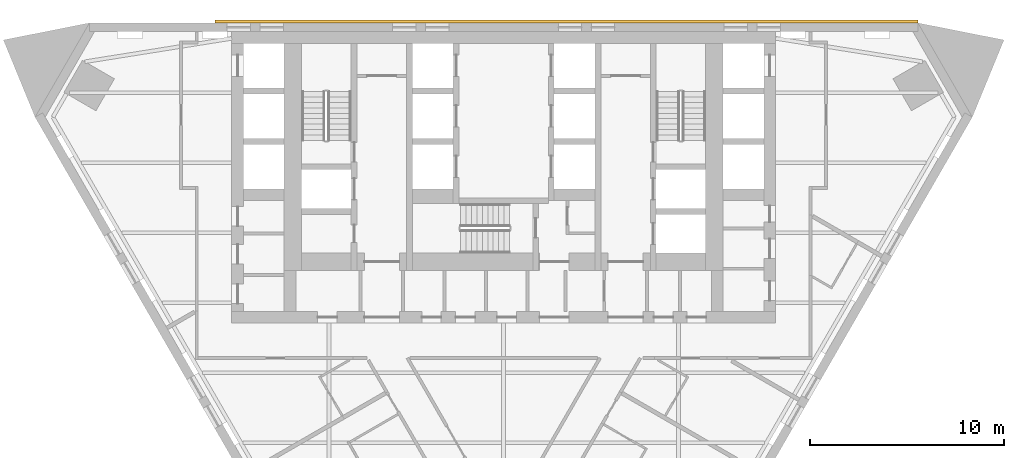
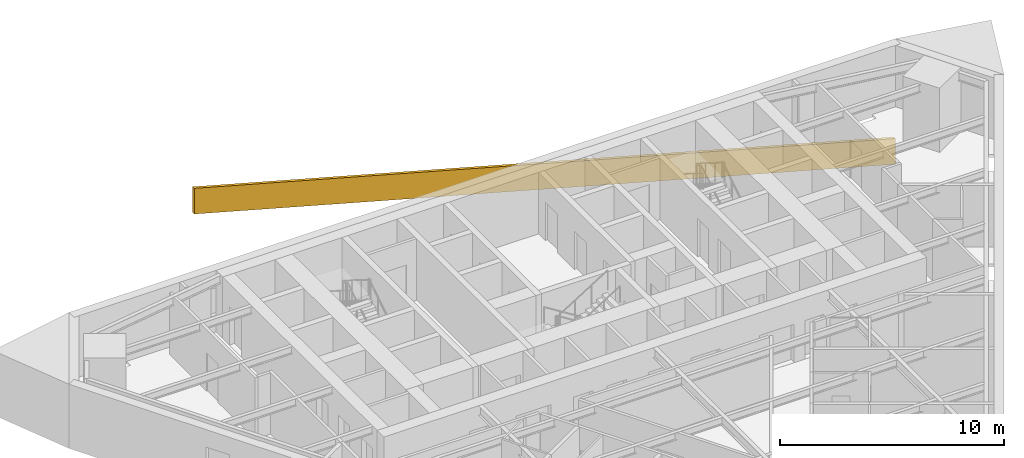
# One storey, part 9 of 10: 1 covering.
"""IFC4 building model written with IfcOpenShell, lengths in metres."""

from ifc_helpers import new_model, si_unit, direction, frame, origin, place, context, subcontext, project, spatial, polyline, outline, extrude, material, layer, layer_set, type_object, element, save


model = new_model("IFC4")

# Units and contexts
model_context = context("Model", 3, precision=1e-05, world=origin(), true_north=direction((0.0, 1.0)))
body_context = subcontext(model_context, "Body", "Model", "MODEL_VIEW")
ifc_project = project(units=[si_unit("LENGTHUNIT", "METRE"), si_unit("AREAUNIT", "SQUARE_METRE"), si_unit("VOLUMEUNIT", "CUBIC_METRE"), si_unit("PLANEANGLEUNIT", "RADIAN"), si_unit("MASSUNIT", "GRAM", prefix="KILO")], contexts=[model_context])

# Site, building, storey
site_placement = place(None, origin())
site = spatial("IfcSite", under=ifc_project, at=site_placement, CompositionType="ELEMENT")
building_placement = place(site_placement, origin())
building = spatial("IfcBuilding", under=site, at=building_placement, Name="Aloe Facet Convention Tower", CompositionType="ELEMENT")
storey_placement = place(building_placement, frame((0.0, 0.0, 85.300048828125)))
storey = spatial("IfcBuildingStorey", under=building, at=storey_placement, Name="L20", CompositionType="ELEMENT", Elevation=85.300048828125)

# Covering
ifc_material = material(Name="Bronze oxide fascia sheet")
ifc_layer = layer(ifc_material, 0.14990234375)
ifc_layer_set = layer_set([ifc_layer], Name="EV-FASCIA-TERR")
covering_type = type_object("IfcCoveringType", Name="EV-FASCIA-TERR", PredefinedType="CLADDING", material=ifc_layer_set)
covering_placement = place(storey_placement, frame((101.321533203125, 135.14990234375, -3.5), z_axis=(0.0, 1.0, 0.0), x_axis=(-0.964199903009, 0.0, 0.265176445104)))
element("IfcCovering", 1, at=covering_placement, inside=storey, type_object=covering_type, Name="Spiral ribbon zone 2 part 1", PredefinedType="CLADDING", context=body_context, shape_type="SweptSolid", body=[
    extrude(outline(polyline([(0.0, 0.0), (37.52200225763384, 0.0), (37.893223384642646, 1.3497857040652992), (0.371221127008808, 1.3497857040652985), (0.0, 0.0)])), origin(), (0.0, 0.0, -1.0), 0.14990234375),
])

save(model, "model.ifc")
